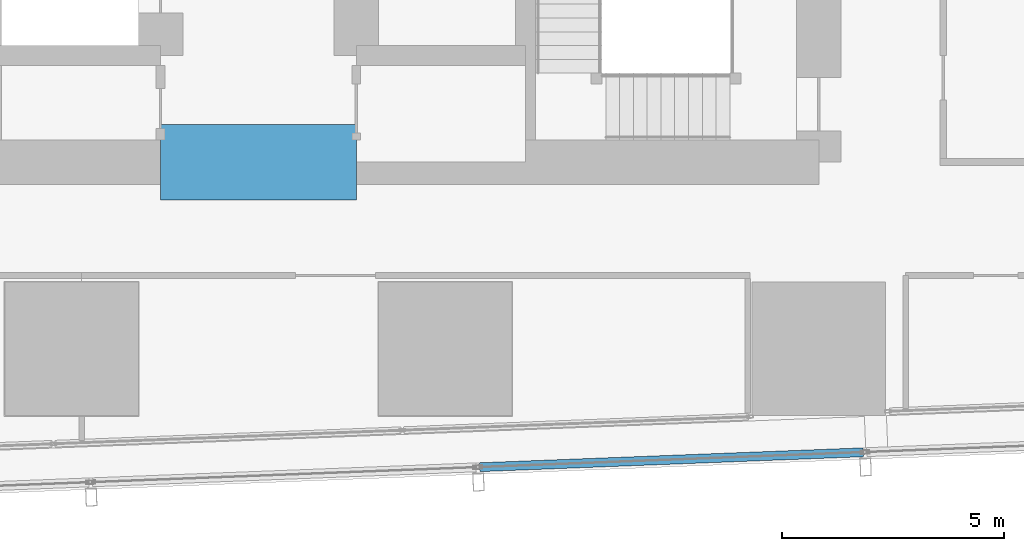
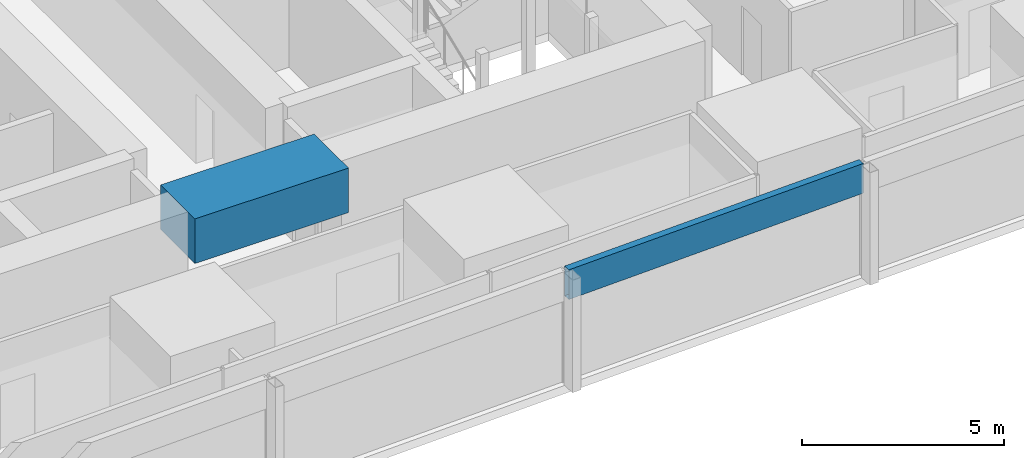
# One storey, part 10 of 38: 1 beam, 1 member, 1 element without a shape of its own.
"""IFC4 building model written with IfcOpenShell, lengths in metres."""

from ifc_helpers import new_model, si_unit, direction, frame, origin, origin_2d, place, context, subcontext, project, spatial, rectangle, hollow_rectangle, extrude, material, material_profile, profile_set, type_object, element, aggregate, save


model = new_model("IFC4")

# Units and contexts
model_context = context("Model", 3, precision=1e-05, world=origin(), true_north=direction((0.0, 1.0)))
body_context = subcontext(model_context, "Body", "Model", "MODEL_VIEW")
ifc_project = project(units=[si_unit("LENGTHUNIT", "METRE"), si_unit("AREAUNIT", "SQUARE_METRE"), si_unit("VOLUMEUNIT", "CUBIC_METRE"), si_unit("PLANEANGLEUNIT", "RADIAN"), si_unit("MASSUNIT", "GRAM", prefix="KILO")], contexts=[model_context])

# Site, building, storey
site_placement = place(None, origin())
site = spatial("IfcSite", under=ifc_project, at=site_placement, CompositionType="ELEMENT")
building_placement = place(site_placement, origin())
building = spatial("IfcBuilding", under=site, at=building_placement, Name="Rekha Terrace Tower", CompositionType="ELEMENT")
storey_placement = place(building_placement, frame((0.0, 0.0, 159.050048828125)))
storey = spatial("IfcBuildingStorey", under=building, at=storey_placement, Name="L40", CompositionType="ELEMENT", Elevation=159.050048828125)

# Curtain wall, member
ifc_material_1 = material(Name="Aluminium framing", Category="aluminium")
curtain_wall_type = type_object("IfcCurtainWallType", Name="CW2 double skin outer glazing", PredefinedType="USERDEFINED", material=ifc_material_1)
curtain_wall_placement = place(storey_placement, origin())
curtain_wall = element("IfcCurtainWall", 1, at=curtain_wall_placement, inside=storey, type_object=curtain_wall_type, Name="CW2 double skin outer glazing", ObjectType="DOUBLE SKIN OUTER GLAZING", PredefinedType="USERDEFINED")
ifc_material_2 = material(Name="Insulated aluminium spandrel box", Category="aluminium")
ifc_material_profile_1 = material_profile(ifc_material_2, hollow_rectangle(XDim=0.199951171875, YDim=0.89990234375, WallThickness=0.0029296875, at=origin_2d()), Name="AL SPANDREL BOX 200x900")
ifc_profile_set_1 = profile_set([ifc_material_profile_1], Name="Insulated aluminium spandrel box")
member_type = type_object("IfcMemberType", Name="CW2 spandrel transom 200 x 900", PredefinedType="USERDEFINED", material=ifc_profile_set_1)
member_placement = place(storey_placement, frame((42.774169921875, 14.139404296875, 2.949951171875), z_axis=(0.999243438523, 0.038891523097, 0.0), x_axis=(-0.038891523097, 0.999243438523, 0.0)))
member = element("IfcMember", 2, at=member_placement, type_object=member_type, Name="CW2 spandrel transom 3", ObjectType="TRANSOM", PredefinedType="USERDEFINED", context=body_context, shape_type="SweptSolid", body=[
    extrude(hollow_rectangle(XDim=0.199951171875, YDim=0.89990234375, WallThickness=0.0029296875, at=origin_2d()), origin(), (0.0, 0.0, 1.0), 8.631591796875),
])
aggregate(curtain_wall, [member])

# Beam
ifc_material_3 = material(Name="Concrete M70", Category="concrete")
ifc_material_profile_2 = material_profile(ifc_material_3, rectangle(XDim=1.699951171875, YDim=1.35009765625, at=origin_2d()), Name="RC 1700x1350")
ifc_profile_set_2 = profile_set([ifc_material_profile_2], Name="Concrete M70")
beam_type = type_object("IfcBeamType", Name="LB2A 1700x1350 diagonally reinforced coupling beam", PredefinedType="LINTEL", material=ifc_profile_set_2)
beam_placement = place(storey_placement, frame((35.60009765625, 21.0, 3.074951171875), z_axis=(1.0, 0.0, 0.0), x_axis=(0.0, 1.0, 0.0)))
element("IfcBeam", 3, at=beam_placement, inside=storey, type_object=beam_type, Name="Coupling beam LB2A S L40", PredefinedType="LINTEL", context=body_context, shape_type="SweptSolid", body=[
    extrude(rectangle(XDim=1.699951171875, YDim=1.35009765625, at=origin_2d()), origin(), (0.0, 0.0, 1.0), 4.39990234375),
])

save(model, "model.ifc")
